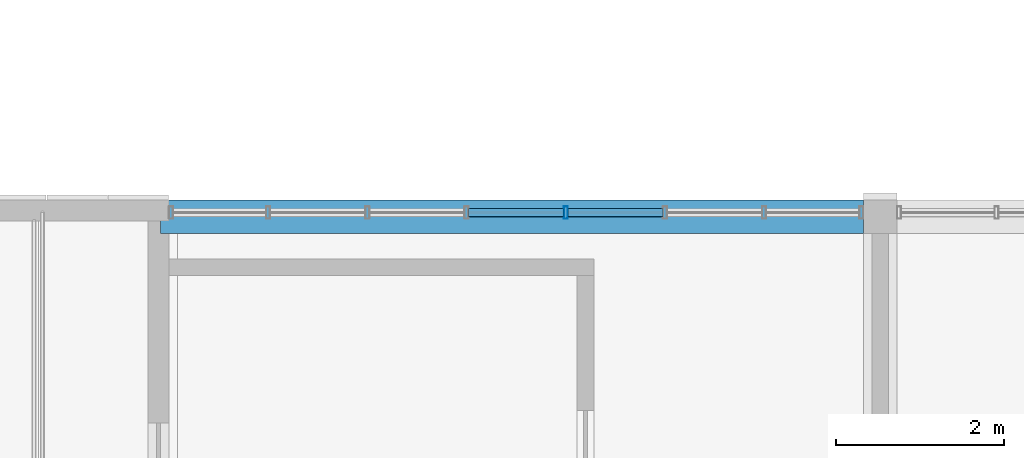
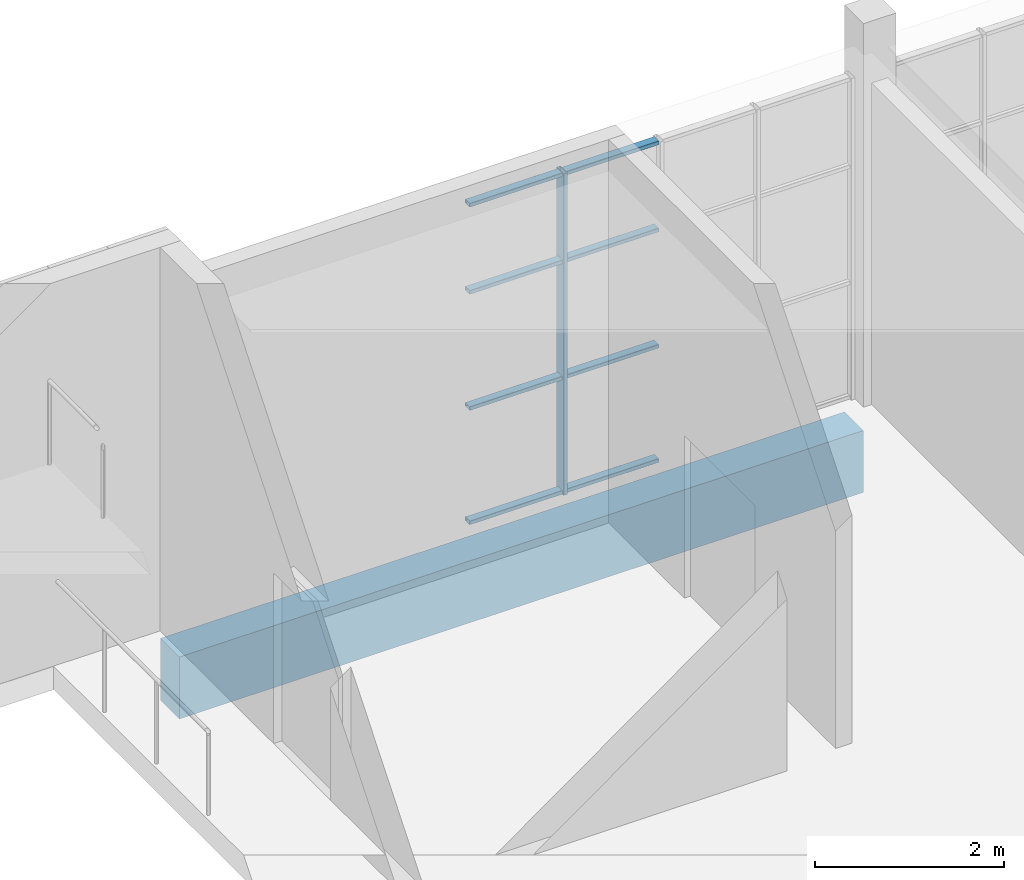
# One storey, part 21 of 125: 9 members, 1 beam, 1 element without a shape of its own.
"""IFC4 building model written with IfcOpenShell, lengths in metres."""

from ifc_helpers import new_model, si_unit, direction, frame, origin, origin_2d, place, context, subcontext, project, spatial, rectangle, hollow_rectangle, extrude, material, material_profile, profile_set, type_object, element, aggregate, save


model = new_model("IFC4")

# Units and contexts
model_context = context("Model", 3, precision=1e-05, world=origin(), true_north=direction((0.0, 1.0)))
body_context = subcontext(model_context, "Body", "Model", "MODEL_VIEW")
ifc_project = project(units=[si_unit("LENGTHUNIT", "METRE"), si_unit("AREAUNIT", "SQUARE_METRE"), si_unit("VOLUMEUNIT", "CUBIC_METRE"), si_unit("PLANEANGLEUNIT", "RADIAN"), si_unit("MASSUNIT", "GRAM", prefix="KILO")], contexts=[model_context])

# Site, building, storey
site_placement = place(None, origin())
site = spatial("IfcSite", under=ifc_project, at=site_placement, CompositionType="ELEMENT")
building_placement = place(site_placement, origin())
building = spatial("IfcBuilding", under=site, at=building_placement, Name="Sun Court Science Centre", CompositionType="ELEMENT")
storey_placement = place(building_placement, frame((0.0, 0.0, 6.0)))
storey = spatial("IfcBuildingStorey", under=building, at=storey_placement, Name="L01", CompositionType="ELEMENT", Elevation=6.0)

# Curtain wall, members
ifc_material_1 = material(Name="Aluminium EN AW-6063 T6", Category="aluminium")
curtain_wall_type = type_object("IfcCurtainWallType", Name="Pavilion curtain wall 1200", PredefinedType="NOTDEFINED", material=ifc_material_1)
curtain_wall_placement = place(storey_placement, origin())
curtain_wall = element("IfcCurtainWall", 1, at=curtain_wall_placement, inside=storey, type_object=curtain_wall_type, Name="Curtain wall V5 N L01 01", PredefinedType="NOTDEFINED")
ifc_material_2 = material(Name="Aluminium EN AW-6063 T6", Category="aluminium")
ifc_material_profile_1 = material_profile(ifc_material_2, hollow_rectangle(XDim=0.050048828125, YDim=0.14990234375, WallThickness=0.00390625, InnerFilletRadius=0.00390625, OuterFilletRadius=0.006103515625, at=origin_2d()), Name="AL 50x150x4")
ifc_profile_set_1 = profile_set([ifc_material_profile_1], Name="Aluminium EN AW-6063 T6")
member_type_1 = type_object("IfcMemberType", Name="Curtain wall mullion AL 50x150", PredefinedType="MULLION", material=ifc_profile_set_1)
member_1_placement = place(storey_placement, frame((47.264404296875, 49.85009765625, 0.0), z_axis=(0.0, 0.0, 1.0), x_axis=(1.0, 0.0, 0.0)))
member_1 = element("IfcMember", 2, at=member_1_placement, type_object=member_type_1, Name="CW3-14 mullion 5", PredefinedType="MULLION", context=body_context, shape_type="SweptSolid", body=[
    extrude(hollow_rectangle(XDim=0.050048828125, YDim=0.14990234375, WallThickness=0.00390625, InnerFilletRadius=0.00390625, OuterFilletRadius=0.006103515625, at=origin_2d()), origin(), (0.0, 0.0, 1.0), 4.14990234375),
])
ifc_material_3 = material(Name="Aluminium EN AW-6063 T6", Category="aluminium")
ifc_material_profile_2 = material_profile(ifc_material_3, hollow_rectangle(XDim=0.050048828125, YDim=0.10009765625, WallThickness=0.00390625, InnerFilletRadius=0.00390625, OuterFilletRadius=0.006103515625, at=origin_2d()), Name="AL 50x100x4")
ifc_profile_set_2 = profile_set([ifc_material_profile_2], Name="Aluminium EN AW-6063 T6")
member_type_2 = type_object("IfcMemberType", Name="Curtain wall transom AL 50x100", PredefinedType="USERDEFINED", material=ifc_profile_set_2)
member_2_placement = place(storey_placement, frame((46.110595703125, 49.85009765625, 0.02490234375), z_axis=(1.0, 0.0, 0.0), x_axis=(0.0, 0.0, 1.0)))
member_2 = element("IfcMember", 3, at=member_2_placement, type_object=member_type_2, Name="CW3-14 transom 4.1", ObjectType="TRANSOM", PredefinedType="USERDEFINED", context=body_context, shape_type="SweptSolid", body=[
    extrude(hollow_rectangle(XDim=0.050048828125, YDim=0.10009765625, WallThickness=0.00390625, InnerFilletRadius=0.00390625, OuterFilletRadius=0.006103515625, at=origin_2d()), origin(), (0.0, 0.0, 1.0), 1.128662109375),
])
member_3_placement = place(storey_placement, frame((47.289306640625, 49.85009765625, 0.02490234375), z_axis=(1.0, 0.0, 0.0), x_axis=(0.0, 0.0, 1.0)))
member_3 = element("IfcMember", 4, at=member_3_placement, type_object=member_type_2, Name="CW3-14 transom 5.1", ObjectType="TRANSOM", PredefinedType="USERDEFINED", context=body_context, shape_type="SweptSolid", body=[
    extrude(hollow_rectangle(XDim=0.050048828125, YDim=0.10009765625, WallThickness=0.00390625, InnerFilletRadius=0.00390625, OuterFilletRadius=0.006103515625, at=origin_2d()), origin(), (0.0, 0.0, 1.0), 1.128662109375),
])
member_4_placement = place(storey_placement, frame((46.110595703125, 49.85009765625, 1.5), z_axis=(1.0, 0.0, 0.0), x_axis=(0.0, 0.0, 1.0)))
member_4 = element("IfcMember", 5, at=member_4_placement, type_object=member_type_2, Name="CW3-14 transom 4.2", ObjectType="TRANSOM", PredefinedType="USERDEFINED", context=body_context, shape_type="SweptSolid", body=[
    extrude(hollow_rectangle(XDim=0.050048828125, YDim=0.10009765625, WallThickness=0.00390625, InnerFilletRadius=0.00390625, OuterFilletRadius=0.006103515625, at=origin_2d()), origin(), (0.0, 0.0, 1.0), 1.128662109375),
])
member_5_placement = place(storey_placement, frame((47.289306640625, 49.85009765625, 1.5), z_axis=(1.0, 0.0, 0.0), x_axis=(0.0, 0.0, 1.0)))
member_5 = element("IfcMember", 6, at=member_5_placement, type_object=member_type_2, Name="CW3-14 transom 5.2", ObjectType="TRANSOM", PredefinedType="USERDEFINED", context=body_context, shape_type="SweptSolid", body=[
    extrude(hollow_rectangle(XDim=0.050048828125, YDim=0.10009765625, WallThickness=0.00390625, InnerFilletRadius=0.00390625, OuterFilletRadius=0.006103515625, at=origin_2d()), origin(), (0.0, 0.0, 1.0), 1.128662109375),
])
member_6_placement = place(storey_placement, frame((46.110595703125, 49.85009765625, 3.0), z_axis=(1.0, 0.0, 0.0), x_axis=(0.0, 0.0, 1.0)))
member_6 = element("IfcMember", 7, at=member_6_placement, type_object=member_type_2, Name="CW3-14 transom 4.3", ObjectType="TRANSOM", PredefinedType="USERDEFINED", context=body_context, shape_type="SweptSolid", body=[
    extrude(hollow_rectangle(XDim=0.050048828125, YDim=0.10009765625, WallThickness=0.00390625, InnerFilletRadius=0.00390625, OuterFilletRadius=0.006103515625, at=origin_2d()), origin(), (0.0, 0.0, 1.0), 1.128662109375),
])
member_7_placement = place(storey_placement, frame((47.289306640625, 49.85009765625, 3.0), z_axis=(1.0, 0.0, 0.0), x_axis=(0.0, 0.0, 1.0)))
member_7 = element("IfcMember", 8, at=member_7_placement, type_object=member_type_2, Name="CW3-14 transom 5.3", ObjectType="TRANSOM", PredefinedType="USERDEFINED", context=body_context, shape_type="SweptSolid", body=[
    extrude(hollow_rectangle(XDim=0.050048828125, YDim=0.10009765625, WallThickness=0.00390625, InnerFilletRadius=0.00390625, OuterFilletRadius=0.006103515625, at=origin_2d()), origin(), (0.0, 0.0, 1.0), 1.128662109375),
])
member_8_placement = place(storey_placement, frame((46.110595703125, 49.85009765625, 4.125), z_axis=(1.0, 0.0, 0.0), x_axis=(0.0, 0.0, 1.0)))
member_8 = element("IfcMember", 9, at=member_8_placement, type_object=member_type_2, Name="CW3-14 transom 4.4", ObjectType="TRANSOM", PredefinedType="USERDEFINED", context=body_context, shape_type="SweptSolid", body=[
    extrude(hollow_rectangle(XDim=0.050048828125, YDim=0.10009765625, WallThickness=0.00390625, InnerFilletRadius=0.00390625, OuterFilletRadius=0.006103515625, at=origin_2d()), origin(), (0.0, 0.0, 1.0), 1.128662109375),
])
member_9_placement = place(storey_placement, frame((47.289306640625, 49.85009765625, 4.125), z_axis=(1.0, 0.0, 0.0), x_axis=(0.0, 0.0, 1.0)))
member_9 = element("IfcMember", 10, at=member_9_placement, type_object=member_type_2, Name="CW3-14 transom 5.4", ObjectType="TRANSOM", PredefinedType="USERDEFINED", context=body_context, shape_type="SweptSolid", body=[
    extrude(hollow_rectangle(XDim=0.050048828125, YDim=0.10009765625, WallThickness=0.00390625, InnerFilletRadius=0.00390625, OuterFilletRadius=0.006103515625, at=origin_2d()), origin(), (0.0, 0.0, 1.0), 1.128662109375),
])
aggregate(curtain_wall, [member_1, member_2, member_3, member_4, member_5, member_6, member_7, member_8, member_9])

# Beam
ifc_material_4 = material(Name="Concrete C25/30", Category="concrete")
ifc_material_profile_3 = material_profile(ifc_material_4, rectangle(XDim=0.39990234375, YDim=0.800048828125, at=origin_2d()), Name="RC 400x800")
ifc_profile_set_3 = profile_set([ifc_material_profile_3], Name="Concrete C25/30")
beam_type = type_object("IfcBeamType", Name="RC girder 400x800", PredefinedType="BEAM", material=ifc_profile_set_3)
beam_placement = place(storey_placement, frame((42.449951171875, 49.800048828125, -0.699951171875), z_axis=(1.0, 0.0, 0.0), x_axis=(0.0, 1.0, 0.0)))
element("IfcBeam", 11, at=beam_placement, inside=storey, type_object=beam_type, Name="Girder L01 row 2", PredefinedType="BEAM", context=body_context, shape_type="SweptSolid", body=[
    extrude(rectangle(XDim=0.39990234375, YDim=0.800048828125, at=origin_2d()), origin(), (0.0, 0.0, 1.0), 8.35009765625),
])

save(model, "model.ifc")
